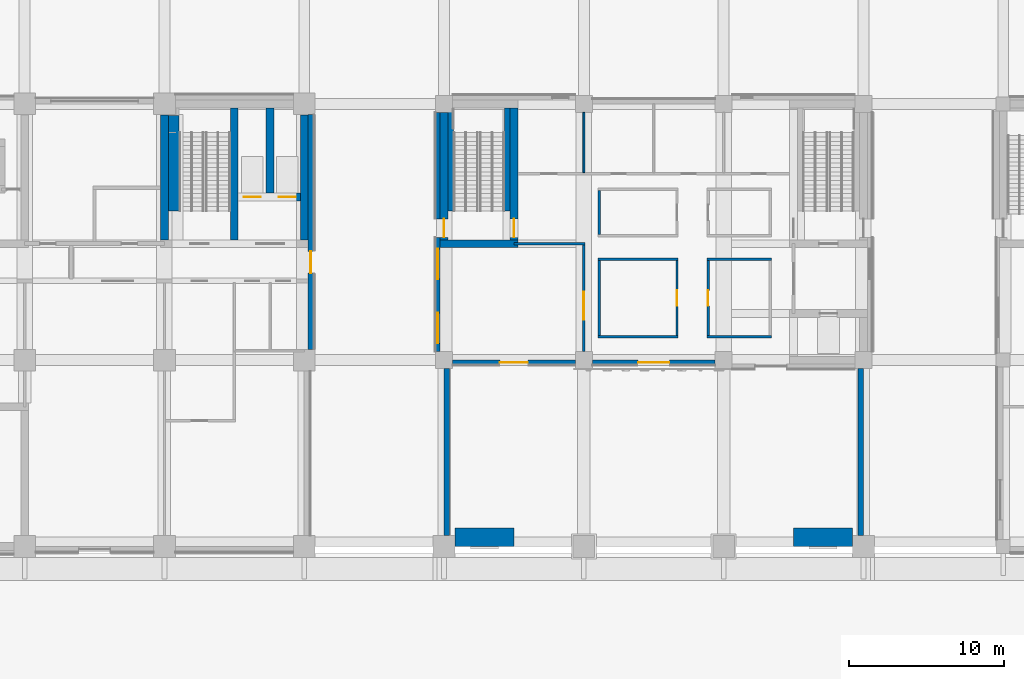
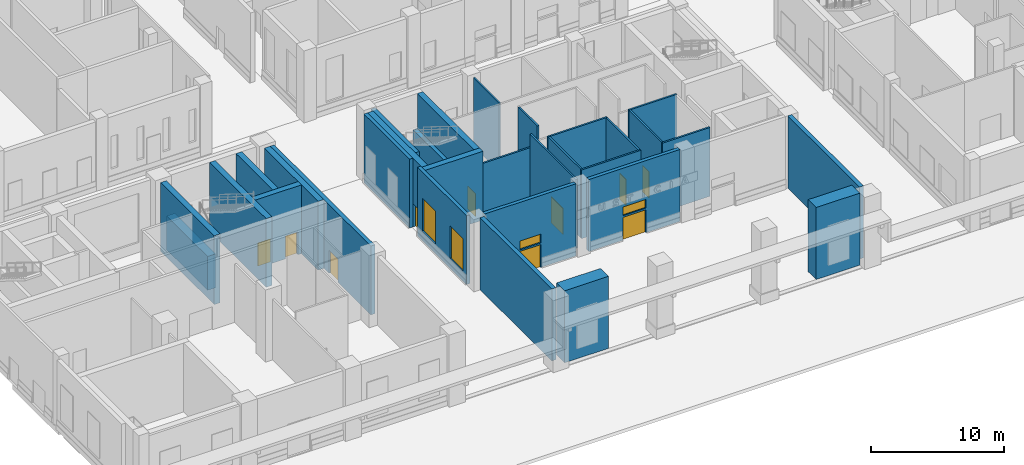
# One storey, part 9 of 35: 31 walls, 10 doors, 4 windows, 14 openings.
"""IFC4 building model written with IfcOpenShell, lengths in metres."""

import ifcopenshell
import ifcopenshell.guid

model = None  # the IFC model being written
_history = None  # IfcOwnerHistory: only IFC2X3 demands one
_inside = {}  # id of a spatial element -> (the spatial element, [elements in it])
_under = {}  # id of a project, library or spatial element -> (it, [spatial elements below it])
_declared = {}  # id of a project -> (the project, [libraries it declares])
_typed = {}  # id of a type object -> (the type object, [elements of that type])
_made_of = {}  # id of a material, layer set ... -> (it, [elements and type objects made of it])


def new_model(schema):
    """Start an empty IFC model of exactly this schema.

    Asked for "IFC4X3", IfcOpenShell would pick the latest addendum, in which some entities
    have other attributes; the version numbers below select the first issue.
    IFC2X3 requires an IfcOwnerHistory on every rooted entity: one is made here for all.
    """
    global model, _history
    if schema == "IFC4X3":
        model = ifcopenshell.file(schema_version=(4, 3, 0, 0))
    else:
        model = ifcopenshell.file(schema=schema)
    _inside.clear()
    _under.clear()
    _declared.clear()
    _typed.clear()
    _made_of.clear()
    _history = None
    if model.schema == "IFC2X3":
        org = make("IfcOrganization", Name="unknown")
        user = make(
            "IfcPersonAndOrganization",
            ThePerson=make("IfcPerson", FamilyName="unknown"),
            TheOrganization=org,
        )
        app = make(
            "IfcApplication",
            ApplicationDeveloper=org,
            Version="unknown",
            ApplicationFullName="unknown",
            ApplicationIdentifier="unknown",
        )
        _history = make(
            "IfcOwnerHistory",
            OwningUser=user,
            OwningApplication=app,
            ChangeAction="ADDED",
            CreationDate=0,
        )
    return model


def make(cls, **values):
    """One entity of the class cls with the attributes given. An attribute that is None is left unset."""
    return model.create_entity(
        cls, **{name: value for name, value in values.items() if value is not None}
    )


def rooted(cls, **values):
    """An entity with a GlobalId (a new one), such as an element, a storey or a relation."""
    return make(cls, GlobalId=ifcopenshell.guid.new(), OwnerHistory=_history, **values)


def si_unit(unit_type, name, prefix=None):
    """IfcSIUnit, for example si_unit("LENGTHUNIT", "METRE", prefix="MILLI")."""
    return make("IfcSIUnit", UnitType=unit_type, Prefix=prefix, Name=name)


def assignment(units):
    """IfcUnitAssignment: the units of a project."""
    return None if units is None else make("IfcUnitAssignment", Units=units)


def point(xyz):
    """IfcCartesianPoint."""
    return None if xyz is None else make("IfcCartesianPoint", Coordinates=xyz)


def direction(xyz):
    """IfcDirection."""
    return None if xyz is None else make("IfcDirection", DirectionRatios=xyz)


def frame(location, z_axis=None, x_axis=None):
    """IfcAxis2Placement3D, a coordinate frame: its origin and axes. An axis left out is left unset."""
    return make(
        "IfcAxis2Placement3D",
        Location=point(location),
        Axis=direction(z_axis),
        RefDirection=direction(x_axis),
    )


def frame_2d(location, x_axis=None):
    """IfcAxis2Placement2D, a coordinate frame in the plane: its origin and x axis."""
    return make(
        "IfcAxis2Placement2D", Location=point(location), RefDirection=direction(x_axis)
    )


def origin():
    """The frame at (0, 0, 0) with its axes left unset."""
    return frame((0.0, 0.0, 0.0))


def place(relative_to, where):
    """IfcLocalPlacement: puts the frame where relative to a parent placement (None: the world)."""
    return make(
        "IfcLocalPlacement", PlacementRelTo=relative_to, RelativePlacement=where
    )


def context(
    kind, dimensions, precision=None, world=None, true_north=None, identifier=None
):
    """IfcGeometricRepresentationContext, for example the 3D "Model" context."""
    return make(
        "IfcGeometricRepresentationContext",
        ContextIdentifier=identifier,
        ContextType=kind,
        CoordinateSpaceDimension=dimensions,
        Precision=precision,
        WorldCoordinateSystem=world,
        TrueNorth=true_north,
    )


def subcontext(parent, identifier, kind, view, scale=None):
    """IfcGeometricRepresentationSubContext, for example "Body" below "Model"."""
    return make(
        "IfcGeometricRepresentationSubContext",
        ContextIdentifier=identifier,
        ContextType=kind,
        ParentContext=parent,
        TargetScale=scale,
        TargetView=view,
    )


def project(units=None, contexts=None):
    """IfcProject with its units and contexts."""
    return rooted(
        "IfcProject",
        Name="project",
        RepresentationContexts=contexts,
        UnitsInContext=assignment(units),
    )


def spatial(cls, under=None, at=None, **own):
    """A site, building, storey or space (cls), placed at a placement, below another one or the project."""
    s = rooted(cls, ObjectPlacement=at, **own)
    if under is not None:
        _under.setdefault(under.id(), (under, []))[1].append(s)
    return s


def profile(cls, at=None, kind="AREA", **sizes):
    """A parametric profile (cls). Its sizes go by their IFC names, for example OverallWidth=200.0."""
    return make(cls, ProfileType=kind, Position=at, **sizes)


def rectangle(**sizes):
    """IfcRectangleProfileDef."""
    return profile("IfcRectangleProfileDef", **sizes)


def extrude(swept, where, along, depth):
    """IfcExtrudedAreaSolid: the profile swept, set in the frame where, extruded along a direction by depth."""
    return make(
        "IfcExtrudedAreaSolid",
        SweptArea=swept,
        Position=where,
        ExtrudedDirection=direction(along),
        Depth=depth,
    )


def shape(context_of_items, identifier, shape_type, items):
    """IfcShapeRepresentation: the items that make up one representation, for example the "Body"."""
    return make(
        "IfcShapeRepresentation",
        ContextOfItems=context_of_items,
        RepresentationIdentifier=identifier,
        RepresentationType=shape_type,
        Items=items,
    )


def material(Name=None, Category=None):
    """IfcMaterial."""
    return make("IfcMaterial", Name=Name, Category=Category)


def layer(
    of_material, thickness, ventilated=None, Name=None, Category=None, Priority=None
):
    """IfcMaterialLayer: one layer of a wall or slab, of a material (None: an air gap)."""
    return make(
        "IfcMaterialLayer",
        Material=of_material,
        LayerThickness=thickness,
        IsVentilated=ventilated,
        Name=Name,
        Category=Category,
        Priority=Priority,
    )


def layer_set(layers, Name=None):
    """IfcMaterialLayerSet."""
    return make("IfcMaterialLayerSet", MaterialLayers=layers, LayerSetName=Name)


def made_of(thing, what):
    """Note that an element or type object is made of a material, layer set ...; save() writes the relation."""
    if what is not None:
        _made_of.setdefault(what.id(), (what, []))[1].append(thing)
    return thing


def type_object(cls, material=None, **own):
    """A type object (cls), such as IfcWallType, which elements share."""
    return made_of(rooted(cls, **own), material)


def element(
    cls,
    number,
    at=None,
    inside=None,
    cuts=None,
    type_object=None,
    material=None,
    context=None,
    identifier="Body",
    shape_type=None,
    held_by="IfcProductDefinitionShape",
    body=None,
    shapes=None,
    **own,
):
    """One element of the class cls, such as IfcWall. Its Tag is "e" and its number.

    at: its placement. inside: the storey or other place that contains it. cuts: it is an
    opening in that element (IfcRelVoidsElement). A single representation is given by context,
    identifier, shape_type and body (its items); several are given by shapes. held_by: the class
    of the entity that holds the representations. save() writes the other relations.
    """
    e = rooted(cls, Tag="e%d" % number, ObjectPlacement=at, **own)
    if body is not None:
        shapes = [shape(context, identifier, shape_type, body)]
    if shapes is not None:
        e.Representation = make(held_by, Representations=shapes)
    if inside is not None:
        _inside.setdefault(inside.id(), (inside, []))[1].append(e)
    if cuts is not None:
        rooted(
            "IfcRelVoidsElement", RelatingBuildingElement=cuts, RelatedOpeningElement=e
        )
    if type_object is not None:
        _typed.setdefault(type_object.id(), (type_object, []))[1].append(e)
    return made_of(e, material)


def fill(opening, filler):
    """IfcRelFillsElement: the door or window that sits in an opening."""
    return rooted(
        "IfcRelFillsElement",
        RelatingOpeningElement=opening,
        RelatedBuildingElement=filler,
    )


def aggregate(whole, parts):
    """IfcRelAggregates: a whole, such as a stair, and the parts it consists of."""
    return rooted("IfcRelAggregates", RelatingObject=whole, RelatedObjects=parts)


def save(model, path):
    """Write the relations noted so far, then the file.

    IfcRelAggregates (storeys below a building ...), IfcRelContainedInSpatialStructure (elements
    in a storey), IfcRelDefinesByType, IfcRelAssociatesMaterial and IfcRelDeclares: one each for
    every whole, place, type object, material and project.
    """
    for whole, parts in _under.values():
        aggregate(whole, parts)
    for where, things in _inside.values():
        rooted(
            "IfcRelContainedInSpatialStructure",
            RelatedElements=things,
            RelatingStructure=where,
        )
    for kind, things in _typed.values():
        rooted("IfcRelDefinesByType", RelatedObjects=things, RelatingType=kind)
    for what, things in _made_of.values():
        rooted("IfcRelAssociatesMaterial", RelatedObjects=things, RelatingMaterial=what)
    for by, libraries in _declared.values():
        rooted("IfcRelDeclares", RelatingContext=by, RelatedDefinitions=libraries)
    model.write(path)


model = new_model("IFC4")

# Units and contexts
model_context = context("Model", 3, precision=1e-05, world=origin(), true_north=direction((0.0, 1.0)))
body_context = subcontext(model_context, "Body", "Model", "MODEL_VIEW")
ifc_project = project(units=[si_unit("LENGTHUNIT", "METRE"), si_unit("AREAUNIT", "SQUARE_METRE"), si_unit("VOLUMEUNIT", "CUBIC_METRE"), si_unit("PLANEANGLEUNIT", "RADIAN"), si_unit("MASSUNIT", "GRAM", prefix="KILO")], contexts=[model_context])

# Site, building, storey
site_placement = place(None, origin())
site = spatial("IfcSite", under=ifc_project, at=site_placement, CompositionType="ELEMENT")
building_placement = place(site_placement, origin())
building = spatial("IfcBuilding", under=site, at=building_placement, Name="Aurelan Courthouse", CompositionType="ELEMENT")
storey_placement = place(building_placement, origin())
storey = spatial("IfcBuildingStorey", under=building, at=storey_placement, Name="L00", CompositionType="ELEMENT", Elevation=0.0)

# Wall, openings, windows
ifc_material_1 = material(Name="Limestone cladding", Category="masonry")
ifc_layer_1 = layer(ifc_material_1, 0.0849609375, Name="Facing")
ifc_material_2 = material(Name="Ventilated cavity")
ifc_layer_2 = layer(ifc_material_2, 0.02490234375, ventilated=True, Name="Ventilated cavity")
ifc_material_3 = material(Name="Mineral wool insulation")
ifc_layer_3 = layer(ifc_material_3, 0.044921875, Name="Insulation")
ifc_material_4 = material(Name="Concrete C30", Category="concrete")
ifc_layer_4 = layer(ifc_material_4, 0.14501953125, Name="Structure")
ifc_layer_set_1 = layer_set([ifc_layer_1, ifc_layer_2, ifc_layer_3, ifc_layer_4], Name="Concrete C30")
wall_type_1 = type_object("IfcWallType", Name="Ceremonial Court stone-faced wall 300", PredefinedType="SOLIDWALL", material=ifc_layer_set_1)
wall_1_placement = place(storey_placement, frame((35.60009765625, 12.550048828125, 0.0), z_axis=(0.0, 0.0, 1.0), x_axis=(0.0, 1.0, 0.0)))
wall_1 = element("IfcWall", 1, at=wall_1_placement, inside=storey, type_object=wall_type_1, Name="Facade wall FW-V1-L00-006", PredefinedType="SOLIDWALL", context=body_context, shape_type="SweptSolid", body=[
    extrude(rectangle(XDim=7.349853515625, YDim=0.300048828125, at=frame_2d((3.6748046875, 0.0))), origin(), (0.0, 0.0, 1.0), 6.300048828125),
])
opening_1_placement = place(wall_1_placement, frame((0.53759765625, 0.0, 0.89990234375)))
opening_1 = element("IfcOpeningElement", 2, at=opening_1_placement, cuts=wall_1, Name="Opening WN-V1-L00-004", PredefinedType="OPENING", context=body_context, shape_type="SweptSolid", body=[
    extrude(rectangle(XDim=1.949951171875, YDim=3.0, at=frame_2d((0.97509765625, 1.5))), frame((0.0, 0.159912109375, 0.0), z_axis=(0.0, -1.0, 0.0), x_axis=(1.0, 0.0, 0.0)), (0.0, 0.0, 1.0), 0.320068359375),
])
opening_2_placement = place(wall_1_placement, frame((4.66259765625, 0.0, 0.89990234375)))
opening_2 = element("IfcOpeningElement", 3, at=opening_2_placement, cuts=wall_1, Name="Opening WN-V1-L00-005", PredefinedType="OPENING", context=body_context, shape_type="SweptSolid", body=[
    extrude(rectangle(XDim=1.949951171875, YDim=3.0, at=frame_2d((0.97509765625, 1.5))), frame((0.0, 0.159912109375, 0.0), z_axis=(0.0, -1.0, 0.0), x_axis=(1.0, 0.0, 0.0)), (0.0, 0.0, 1.0), 0.320068359375),
])
ifc_material_5 = material(Name="Bronze-finished aluminium and glass", Category="aluminium")
window_type_1 = type_object("IfcWindowType", Name="Ceremonial Court window 1950 x 3000, sill 900", PartitioningType="SINGLE_PANEL", PredefinedType="WINDOW", material=ifc_material_5)
window_1_placement = place(opening_1_placement, origin())
window_1 = element("IfcWindow", 4, at=window_1_placement, inside=storey, type_object=window_type_1, Name="Window WN-V1-L00-004", OverallHeight=3.0, OverallWidth=1.949951171875, PartitioningType="SINGLE_PANEL", PredefinedType="WINDOW", context=body_context, shape_type="SweptSolid", body=[
    extrude(rectangle(XDim=1.949951171875, YDim=3.0, at=frame_2d((0.97509765625, 1.5))), frame((0.0, 0.030029296875, 0.0), z_axis=(0.0, -1.0, 0.0), x_axis=(1.0, 0.0, 0.0)), (0.0, 0.0, 1.0), 0.06005859375),
])
fill(opening_1, window_1)
window_2_placement = place(opening_2_placement, origin())
window_2 = element("IfcWindow", 5, at=window_2_placement, inside=storey, type_object=window_type_1, Name="Window WN-V1-L00-005", OverallHeight=3.0, OverallWidth=1.949951171875, PartitioningType="SINGLE_PANEL", PredefinedType="WINDOW", context=body_context, shape_type="SweptSolid", body=[
    extrude(rectangle(XDim=1.949951171875, YDim=3.0, at=frame_2d((0.97509765625, 1.5))), frame((0.0, 0.030029296875, 0.0), z_axis=(0.0, -1.0, 0.0), x_axis=(1.0, 0.0, 0.0)), (0.0, 0.0, 1.0), 0.06005859375),
])
fill(opening_2, window_2)

# Wall
wall_2_placement = place(storey_placement, frame((35.60009765625, 21.10009765625, 0.0), z_axis=(0.0, 0.0, 1.0), x_axis=(0.0, 1.0, 0.0)))
element("IfcWall", 6, at=wall_2_placement, inside=storey, type_object=wall_type_1, Name="Facade wall FW-V1-L00-007", PredefinedType="SOLIDWALL", context=body_context, shape_type="SweptSolid", body=[
    extrude(rectangle(XDim=6.849853515625, YDim=0.300048828125, at=frame_2d((3.4248046875, 0.0))), origin(), (0.0, 0.0, 1.0), 6.300048828125),
])

# Wall, openings, door, window
wall_3_placement = place(storey_placement, frame((36.550048828125, 11.85009765625, 0.0), z_axis=(0.0, 0.0, 1.0), x_axis=(1.0, 0.0, 0.0)))
wall_3 = element("IfcWall", 7, at=wall_3_placement, inside=storey, type_object=wall_type_1, Name="Facade wall FW-V1-L00-008", PredefinedType="SOLIDWALL", context=body_context, shape_type="SweptSolid", body=[
    extrude(rectangle(XDim=7.89990234375, YDim=0.300048828125, at=frame_2d((3.949951171875, 0.0))), origin(), (0.0, 0.0, 1.0), 6.60009765625),
])
opening_3_placement = place(wall_3_placement, frame((4.85009765625, 0.0, 0.0), z_axis=(0.0, 0.0, 1.0), x_axis=(-1.0, 0.0, 0.0)))
opening_3 = element("IfcOpeningElement", 8, at=opening_3_placement, cuts=wall_3, Name="Opening D-L00-003", PredefinedType="OPENING", context=body_context, shape_type="SweptSolid", body=[
    extrude(rectangle(XDim=1.800048828125, YDim=2.10009765625, at=frame_2d((0.89990234375, 1.050048828125))), frame((0.0, 0.159912109375, 0.0), z_axis=(0.0, -1.0, 0.0), x_axis=(1.0, 0.0, 0.0)), (0.0, 0.0, 1.0), 0.320068359375),
])
opening_4_placement = place(wall_3_placement, frame((3.050048828125, 0.0, 2.25)))
opening_4 = element("IfcOpeningElement", 9, at=opening_4_placement, cuts=wall_3, Name="Opening WN-V1-L00-006", PredefinedType="OPENING", context=body_context, shape_type="SweptSolid", body=[
    extrude(rectangle(XDim=1.800048828125, YDim=0.800048828125, at=frame_2d((0.89990234375, 0.39990234375))), frame((0.0, 0.159912109375, 0.0), z_axis=(0.0, -1.0, 0.0), x_axis=(1.0, 0.0, 0.0)), (0.0, 0.0, 1.0), 0.320068359375),
])
ifc_material_6 = material(Name="Bronze-clad timber", Category="wood")
door_type_1 = type_object("IfcDoorType", Name="Bronze double door 1800 x 2100", OperationType="SINGLE_SWING_LEFT", PredefinedType="DOOR", material=ifc_material_6)
door_1_placement = place(opening_3_placement, origin())
door_1 = element("IfcDoor", 10, at=door_1_placement, inside=storey, type_object=door_type_1, Name="Exit door D-L00-003", OperationType="DOUBLE_DOOR_SINGLE_SWING", OverallHeight=2.10009765625, OverallWidth=1.800048828125, PredefinedType="DOOR", context=body_context, shape_type="SweptSolid", body=[
    extrude(rectangle(XDim=1.800048828125, YDim=2.10009765625, at=frame_2d((0.89990234375, 1.050048828125))), frame((0.0, 0.02490234375, 0.0), z_axis=(0.0, -1.0, 0.0), x_axis=(1.0, 0.0, 0.0)), (0.0, 0.0, 1.0), 0.050048828125),
])
fill(opening_3, door_1)
window_type_2 = type_object("IfcWindowType", Name="Ceremonial Court transom light 1800 x 800, sill 2250", PartitioningType="SINGLE_PANEL", PredefinedType="WINDOW", material=ifc_material_5)
window_3_placement = place(opening_4_placement, origin())
window_3 = element("IfcWindow", 11, at=window_3_placement, inside=storey, type_object=window_type_2, Name="Transom light WN-V1-L00-006", OverallHeight=0.800048828125, OverallWidth=1.800048828125, PartitioningType="SINGLE_PANEL", PredefinedType="WINDOW", context=body_context, shape_type="SweptSolid", body=[
    extrude(rectangle(XDim=1.800048828125, YDim=0.800048828125, at=frame_2d((0.89990234375, 0.39990234375))), frame((0.0, 0.030029296875, 0.0), z_axis=(0.0, -1.0, 0.0), x_axis=(1.0, 0.0, 0.0)), (0.0, 0.0, 1.0), 0.06005859375),
])
fill(opening_4, window_3)

wall_4_placement = place(storey_placement, frame((45.550048828125, 11.85009765625, 0.0), z_axis=(0.0, 0.0, 1.0), x_axis=(1.0, 0.0, 0.0)))
wall_4 = element("IfcWall", 12, at=wall_4_placement, inside=storey, type_object=wall_type_1, Name="Facade wall FW-V1-L00-009", PredefinedType="SOLIDWALL", context=body_context, shape_type="SweptSolid", body=[
    extrude(rectangle(XDim=7.89990234375, YDim=0.300048828125, at=frame_2d((3.949951171875, 0.0))), origin(), (0.0, 0.0, 1.0), 6.60009765625),
])
opening_5_placement = place(wall_4_placement, frame((4.949951171875, 0.0, 0.0), z_axis=(0.0, 0.0, 1.0), x_axis=(-1.0, 0.0, 0.0)))
opening_5 = element("IfcOpeningElement", 13, at=opening_5_placement, cuts=wall_4, Name="Opening D-L00-001", PredefinedType="OPENING", context=body_context, shape_type="SweptSolid", body=[
    extrude(rectangle(XDim=2.0, YDim=2.10009765625, at=frame_2d((1.0, 1.050048828125))), frame((0.0, 0.159912109375, 0.0), z_axis=(0.0, -1.0, 0.0), x_axis=(1.0, 0.0, 0.0)), (0.0, 0.0, 1.0), 0.320068359375),
])
opening_6_placement = place(wall_4_placement, frame((2.949951171875, 0.0, 2.25)))
opening_6 = element("IfcOpeningElement", 14, at=opening_6_placement, cuts=wall_4, Name="Opening WN-V1-L00-007", PredefinedType="OPENING", context=body_context, shape_type="SweptSolid", body=[
    extrude(rectangle(XDim=2.0, YDim=0.800048828125, at=frame_2d((1.0, 0.39990234375))), frame((0.0, 0.159912109375, 0.0), z_axis=(0.0, -1.0, 0.0), x_axis=(1.0, 0.0, 0.0)), (0.0, 0.0, 1.0), 0.320068359375),
])
door_type_2 = type_object("IfcDoorType", Name="Bronze double door 2000 x 2100", OperationType="SINGLE_SWING_LEFT", PredefinedType="DOOR", material=ifc_material_6)
door_2_placement = place(opening_5_placement, origin())
door_2 = element("IfcDoor", 15, at=door_2_placement, inside=storey, type_object=door_type_2, Name="Entrance door D-L00-001", OperationType="DOUBLE_DOOR_SINGLE_SWING", OverallHeight=2.10009765625, OverallWidth=2.0, PredefinedType="DOOR", context=body_context, shape_type="SweptSolid", body=[
    extrude(rectangle(XDim=2.0, YDim=2.10009765625, at=frame_2d((1.0, 1.050048828125))), frame((0.0, 0.02490234375, 0.0), z_axis=(0.0, -1.0, 0.0), x_axis=(1.0, 0.0, 0.0)), (0.0, 0.0, 1.0), 0.050048828125),
])
fill(opening_5, door_2)
window_type_3 = type_object("IfcWindowType", Name="Ceremonial Court transom light 2000 x 800, sill 2250", PartitioningType="SINGLE_PANEL", PredefinedType="WINDOW", material=ifc_material_5)
window_4_placement = place(opening_6_placement, origin())
window_4 = element("IfcWindow", 16, at=window_4_placement, inside=storey, type_object=window_type_3, Name="Transom light WN-V1-L00-007", OverallHeight=0.800048828125, OverallWidth=2.0, PartitioningType="SINGLE_PANEL", PredefinedType="WINDOW", context=body_context, shape_type="SweptSolid", body=[
    extrude(rectangle(XDim=2.0, YDim=0.800048828125, at=frame_2d((1.0, 0.39990234375))), frame((0.0, 0.030029296875, 0.0), z_axis=(0.0, -1.0, 0.0), x_axis=(1.0, 0.0, 0.0)), (0.0, 0.0, 1.0), 0.06005859375),
])
fill(opening_6, window_4)

# Walls
ifc_material_7 = material(Name="Gypsum board on metal studs")
ifc_layer_5 = layer(ifc_material_7, 0.14990234375)
ifc_layer_set_2 = layer_set([ifc_layer_5], Name="Gypsum board on metal studs")
wall_type_2 = type_object("IfcWallType", Name="Corridor partition 150 EI 60", PredefinedType="PARTITIONING", material=ifc_layer_set_2)
wall_5_placement = place(storey_placement, frame((45.925048828125, 13.5, 0.0), z_axis=(0.0, 0.0, 1.0), x_axis=(1.0, 0.0, 0.0)))
element("IfcWall", 17, at=wall_5_placement, inside=storey, type_object=wall_type_2, Name="Corridor partition L00-007", PredefinedType="PARTITIONING", context=body_context, shape_type="SweptSolid", body=[
    extrude(rectangle(XDim=5.14990234375, YDim=0.14990234375, at=frame_2d((2.574951171875, 0.0))), origin(), (0.0, 0.0, 1.0), 6.300048828125),
])
wall_6_placement = place(storey_placement, frame((52.925048828125, 13.5, 0.0), z_axis=(0.0, 0.0, 1.0), x_axis=(1.0, 0.0, 0.0)))
element("IfcWall", 18, at=wall_6_placement, inside=storey, type_object=wall_type_2, Name="Corridor partition L00-008", PredefinedType="PARTITIONING", context=body_context, shape_type="SweptSolid", body=[
    extrude(rectangle(XDim=4.14990234375, YDim=0.14990234375, at=frame_2d((2.074951171875, 0.0))), origin(), (0.0, 0.0, 1.0), 6.300048828125),
])
wall_7_placement = place(storey_placement, frame((45.925048828125, 18.5, 0.0), z_axis=(0.0, 0.0, 1.0), x_axis=(1.0, 0.0, 0.0)))
element("IfcWall", 19, at=wall_7_placement, inside=storey, type_object=wall_type_2, Name="Corridor partition L00-012", PredefinedType="PARTITIONING", context=body_context, shape_type="SweptSolid", body=[
    extrude(rectangle(XDim=5.14990234375, YDim=0.14990234375, at=frame_2d((2.574951171875, 0.0))), origin(), (0.0, 0.0, 1.0), 6.300048828125),
])
wall_8_placement = place(storey_placement, frame((52.925048828125, 18.5, 0.0), z_axis=(0.0, 0.0, 1.0), x_axis=(1.0, 0.0, 0.0)))
element("IfcWall", 20, at=wall_8_placement, inside=storey, type_object=wall_type_2, Name="Corridor partition L00-013", PredefinedType="PARTITIONING", context=body_context, shape_type="SweptSolid", body=[
    extrude(rectangle(XDim=4.14990234375, YDim=0.14990234375, at=frame_2d((2.074951171875, 0.0))), origin(), (0.0, 0.0, 1.0), 6.300048828125),
])
wall_9_placement = place(storey_placement, frame((40.5, 19.5, 0.0), z_axis=(0.0, 0.0, 1.0), x_axis=(1.0, 0.0, 0.0)))
element("IfcWall", 21, at=wall_9_placement, inside=storey, type_object=wall_type_2, Name="Corridor partition L00-015", PredefinedType="PARTITIONING", context=body_context, shape_type="SweptSolid", body=[
    extrude(rectangle(XDim=4.574951171875, YDim=0.14990234375, at=frame_2d((2.28759765625, 0.0))), origin(), (0.0, 0.0, 1.0), 5.050048828125),
])

# Wall, opening, door
wall_10_placement = place(storey_placement, frame((45.0, 12.550048828125, 0.0), z_axis=(0.0, 0.0, 1.0), x_axis=(0.0, 1.0, 0.0)))
wall_10 = element("IfcWall", 22, at=wall_10_placement, inside=storey, type_object=wall_type_2, Name="Corridor partition L00-075", PredefinedType="PARTITIONING", context=body_context, shape_type="SweptSolid", body=[
    extrude(rectangle(XDim=6.875, YDim=0.14990234375, at=frame_2d((3.4375, 0.0))), origin(), (0.0, 0.0, 1.0), 6.300048828125),
])
opening_7_placement = place(wall_10_placement, frame((2.050048828125, 0.0, 0.0)))
opening_7 = element("IfcOpeningElement", 23, at=opening_7_placement, cuts=wall_10, Name="Opening D-L00-004", PredefinedType="OPENING", context=body_context, shape_type="SweptSolid", body=[
    extrude(rectangle(XDim=1.800048828125, YDim=2.39990234375, at=frame_2d((0.89990234375, 1.199951171875))), frame((0.0, 0.0849609375, 0.0), z_axis=(0.0, -1.0, 0.0), x_axis=(1.0, 0.0, 0.0)), (0.0, 0.0, 1.0), 0.169921875),
])
ifc_material_8 = material(Name="Steel", Category="steel")
door_type_3 = type_object("IfcDoorType", Name="Double door 1800 x 2400 FD60", OperationType="DOUBLE_DOOR_SINGLE_SWING", PredefinedType="DOOR", material=ifc_material_8)
door_3_placement = place(opening_7_placement, origin())
door_3 = element("IfcDoor", 24, at=door_3_placement, inside=storey, type_object=door_type_3, Name="Double door D-L00-004", OperationType="DOUBLE_DOOR_SINGLE_SWING", OverallHeight=2.39990234375, OverallWidth=1.800048828125, PredefinedType="DOOR", context=body_context, shape_type="SweptSolid", body=[
    extrude(rectangle(XDim=1.800048828125, YDim=2.39990234375, at=frame_2d((0.89990234375, 1.199951171875))), frame((0.0, 0.02490234375, 0.0), z_axis=(0.0, -1.0, 0.0), x_axis=(1.0, 0.0, 0.0)), (0.0, 0.0, 1.0), 0.050048828125),
])
fill(opening_7, door_3)

# Walls
wall_11_placement = place(storey_placement, frame((46.0, 13.574951171875, 0.0), z_axis=(0.0, 0.0, 1.0), x_axis=(0.0, 1.0, 0.0)))
element("IfcWall", 25, at=wall_11_placement, inside=storey, type_object=wall_type_2, Name="Corridor partition L00-078", PredefinedType="PARTITIONING", context=body_context, shape_type="SweptSolid", body=[
    extrude(rectangle(XDim=4.85009765625, YDim=0.14990234375, at=frame_2d((2.425048828125, 0.0))), origin(), (0.0, 0.0, 1.0), 6.300048828125),
])
wall_12_placement = place(storey_placement, frame((46.0, 20.074951171875, 0.0), z_axis=(0.0, 0.0, 1.0), x_axis=(0.0, 1.0, 0.0)))
element("IfcWall", 26, at=wall_12_placement, inside=storey, type_object=wall_type_2, Name="Corridor partition L00-079", PredefinedType="PARTITIONING", context=body_context, shape_type="SweptSolid", body=[
    extrude(rectangle(XDim=2.85009765625, YDim=0.14990234375, at=frame_2d((1.425048828125, 0.0))), origin(), (0.0, 0.0, 1.0), 6.300048828125),
])

# Wall, opening, door
wall_13_placement = place(storey_placement, frame((51.0, 13.574951171875, 0.0), z_axis=(0.0, 0.0, 1.0), x_axis=(0.0, 1.0, 0.0)))
wall_13 = element("IfcWall", 27, at=wall_13_placement, inside=storey, type_object=wall_type_2, Name="Corridor partition L00-083", PredefinedType="PARTITIONING", context=body_context, shape_type="SweptSolid", body=[
    extrude(rectangle(XDim=4.85009765625, YDim=0.14990234375, at=frame_2d((2.425048828125, 0.0))), origin(), (0.0, 0.0, 1.0), 6.300048828125),
])
opening_8_placement = place(wall_13_placement, frame((1.925048828125, 0.0, 0.0)))
opening_8 = element("IfcOpeningElement", 28, at=opening_8_placement, cuts=wall_13, Name="Opening D-L00-012", PredefinedType="OPENING", context=body_context, shape_type="SweptSolid", body=[
    extrude(rectangle(XDim=1.0, YDim=2.39990234375, at=frame_2d((0.5, 1.199951171875))), frame((0.0, 0.0849609375, 0.0), z_axis=(0.0, -1.0, 0.0), x_axis=(1.0, 0.0, 0.0)), (0.0, 0.0, 1.0), 0.169921875),
])
door_type_4 = type_object("IfcDoorType", Name="Single door 1000 x 2400 FD60", OperationType="SINGLE_SWING_LEFT", PredefinedType="DOOR", material=ifc_material_8)
door_4_placement = place(opening_8_placement, origin())
door_4 = element("IfcDoor", 29, at=door_4_placement, inside=storey, type_object=door_type_4, Name="Single door D-L00-012", OperationType="SINGLE_SWING_LEFT", OverallHeight=2.39990234375, OverallWidth=1.0, PredefinedType="DOOR", context=body_context, shape_type="SweptSolid", body=[
    extrude(rectangle(XDim=1.0, YDim=2.39990234375, at=frame_2d((0.5, 1.199951171875))), frame((0.0, 0.02490234375, 0.0), z_axis=(0.0, -1.0, 0.0), x_axis=(1.0, 0.0, 0.0)), (0.0, 0.0, 1.0), 0.050048828125),
])
fill(opening_8, door_4)

wall_14_placement = place(storey_placement, frame((53.0, 13.574951171875, 0.0), z_axis=(0.0, 0.0, 1.0), x_axis=(0.0, 1.0, 0.0)))
wall_14 = element("IfcWall", 30, at=wall_14_placement, inside=storey, type_object=wall_type_2, Name="Corridor partition L00-085", PredefinedType="PARTITIONING", context=body_context, shape_type="SweptSolid", body=[
    extrude(rectangle(XDim=4.85009765625, YDim=0.14990234375, at=frame_2d((2.425048828125, 0.0))), origin(), (0.0, 0.0, 1.0), 6.300048828125),
])
opening_9_placement = place(wall_14_placement, frame((2.925048828125, 0.0, 0.0), z_axis=(0.0, 0.0, 1.0), x_axis=(-1.0, 0.0, 0.0)))
opening_9 = element("IfcOpeningElement", 31, at=opening_9_placement, cuts=wall_14, Name="Opening D-L00-013", PredefinedType="OPENING", context=body_context, shape_type="SweptSolid", body=[
    extrude(rectangle(XDim=1.0, YDim=2.39990234375, at=frame_2d((0.5, 1.199951171875))), frame((0.0, 0.0849609375, 0.0), z_axis=(0.0, -1.0, 0.0), x_axis=(1.0, 0.0, 0.0)), (0.0, 0.0, 1.0), 0.169921875),
])
door_5_placement = place(opening_9_placement, origin())
door_5 = element("IfcDoor", 32, at=door_5_placement, inside=storey, type_object=door_type_4, Name="Single door D-L00-013", OperationType="SINGLE_SWING_LEFT", OverallHeight=2.39990234375, OverallWidth=1.0, PredefinedType="DOOR", context=body_context, shape_type="SweptSolid", body=[
    extrude(rectangle(XDim=1.0, YDim=2.39990234375, at=frame_2d((0.5, 1.199951171875))), frame((0.0, 0.02490234375, 0.0), z_axis=(0.0, -1.0, 0.0), x_axis=(1.0, 0.0, 0.0)), (0.0, 0.0, 1.0), 0.050048828125),
])
fill(opening_9, door_5)

ifc_material_9 = material(Name="Granite cladding", Category="masonry")
ifc_layer_6 = layer(ifc_material_9, 0.10009765625, Name="Facing")
ifc_layer_7 = layer(ifc_material_2, 0.02490234375, ventilated=True, Name="Ventilated cavity")
ifc_layer_8 = layer(ifc_material_3, 0.050048828125, Name="Insulation")
ifc_layer_9 = layer(ifc_material_4, 0.175048828125, Name="Structure")
ifc_layer_set_3 = layer_set([ifc_layer_6, ifc_layer_7, ifc_layer_8, ifc_layer_9], Name="Concrete C30")
wall_type_3 = type_object("IfcWallType", Name="Courts' Floors granite-faced wall 350", PredefinedType="SOLIDWALL", material=ifc_layer_set_3)
wall_15_placement = place(storey_placement, frame((27.425048828125, 12.699951171875, 0.0), z_axis=(0.0, 0.0, 1.0), x_axis=(0.0, 1.0, 0.0)))
wall_15 = element("IfcWall", 33, at=wall_15_placement, inside=storey, type_object=wall_type_3, Name="Facade wall FW-V5-L00-008", PredefinedType="SOLIDWALL", context=body_context, shape_type="SweptSolid", body=[
    extrude(rectangle(XDim=15.10009765625, YDim=0.35009765625, at=frame_2d((7.550048828125, 0.0))), origin(), (0.0, 0.0, 1.0), 6.300048828125),
])
opening_10_placement = place(wall_15_placement, frame((6.2998046875, 0.0, 0.0), z_axis=(0.0, 0.0, 1.0), x_axis=(-1.0, 0.0, 0.0)))
opening_10 = element("IfcOpeningElement", 34, at=opening_10_placement, cuts=wall_15, Name="Opening D-L00-111", PredefinedType="OPENING", context=body_context, shape_type="SweptSolid", body=[
    extrude(rectangle(XDim=1.39990234375, YDim=2.10009765625, at=frame_2d((0.699951171875, 1.050048828125))), frame((0.0, 0.18505859375, 0.0), z_axis=(0.0, -1.0, 0.0), x_axis=(1.0, 0.0, 0.0)), (0.0, 0.0, 1.0), 0.3701171875),
])
door_type_5 = type_object("IfcDoorType", Name="Bronze single door 1400 x 2100", OperationType="SINGLE_SWING_LEFT", PredefinedType="DOOR", material=ifc_material_6)
door_6_placement = place(opening_10_placement, origin())
door_6 = element("IfcDoor", 35, at=door_6_placement, inside=storey, type_object=door_type_5, Name="Exit door D-L00-111", OperationType="SINGLE_SWING_LEFT", OverallHeight=2.10009765625, OverallWidth=1.39990234375, PredefinedType="DOOR", context=body_context, shape_type="SweptSolid", body=[
    extrude(rectangle(XDim=1.39990234375, YDim=2.10009765625, at=frame_2d((0.699951171875, 1.050048828125))), frame((0.0, 0.02490234375, 0.0), z_axis=(0.0, -1.0, 0.0), x_axis=(1.0, 0.0, 0.0)), (0.0, 0.0, 1.0), 0.050048828125),
])
fill(opening_10, door_6)

# Walls
ifc_material_10 = material(Name="Concrete C50", Category="concrete")
ifc_layer_10 = layer(ifc_material_10, 0.5)
ifc_layer_set_4 = layer_set([ifc_layer_10], Name="Concrete C50")
wall_type_4 = type_object("IfcWallType", Name="RC shear wall 500", PredefinedType="SHEAR", material=ifc_layer_set_4)
wall_16_placement = place(storey_placement, frame((35.75, 19.5, 0.0), z_axis=(0.0, 0.0, 1.0), x_axis=(1.0, 0.0, 0.0)))
element("IfcWall", 36, at=wall_16_placement, inside=storey, type_object=wall_type_4, Name="Core wall SW-L00-015", PredefinedType="SHEAR", context=body_context, shape_type="SweptSolid", body=[
    extrude(rectangle(XDim=5.0, YDim=0.5, at=frame_2d((2.5, 0.0))), origin(), (0.0, 0.0, 1.0), 6.300048828125),
])
wall_17_placement = place(storey_placement, frame((18.0, 19.75, 0.0), z_axis=(0.0, 0.0, 1.0), x_axis=(0.0, 1.0, 0.0)))
element("IfcWall", 37, at=wall_17_placement, inside=storey, type_object=wall_type_4, Name="Core wall SW-L00-022", PredefinedType="SHEAR", context=body_context, shape_type="SweptSolid", body=[
    extrude(rectangle(XDim=8.050048828125, YDim=0.5, at=frame_2d((4.02490234375, 0.0))), origin(), (0.0, 0.0, 1.0), 6.300048828125),
])
wall_18_placement = place(storey_placement, frame((22.5, 19.75, 0.0), z_axis=(0.0, 0.0, 1.0), x_axis=(0.0, 1.0, 0.0)))
element("IfcWall", 38, at=wall_18_placement, inside=storey, type_object=wall_type_4, Name="Core wall SW-L00-023", PredefinedType="SHEAR", context=body_context, shape_type="SweptSolid", body=[
    extrude(rectangle(XDim=8.5, YDim=0.5, at=frame_2d((4.25, 0.0))), origin(), (0.0, 0.0, 1.0), 6.300048828125),
])
wall_19_placement = place(storey_placement, frame((27.0, 19.75, 0.0), z_axis=(0.0, 0.0, 1.0), x_axis=(0.0, 1.0, 0.0)))
element("IfcWall", 39, at=wall_19_placement, inside=storey, type_object=wall_type_4, Name="Core wall SW-L00-024", PredefinedType="SHEAR", context=body_context, shape_type="SweptSolid", body=[
    extrude(rectangle(XDim=8.050048828125, YDim=0.5, at=frame_2d((4.02490234375, 0.0))), origin(), (0.0, 0.0, 1.0), 6.300048828125),
])

# Wall, opening, door
wall_20_placement = place(storey_placement, frame((36.0, 19.75, 0.0), z_axis=(0.0, 0.0, 1.0), x_axis=(0.0, 1.0, 0.0)))
wall_20 = element("IfcWall", 40, at=wall_20_placement, inside=storey, type_object=wall_type_4, Name="Core wall SW-L00-025", PredefinedType="SHEAR", context=body_context, shape_type="SweptSolid", body=[
    extrude(rectangle(XDim=8.199951171875, YDim=0.5, at=frame_2d((4.10009765625, 0.0))), origin(), (0.0, 0.0, 1.0), 6.300048828125),
])
opening_11_placement = place(wall_20_placement, frame((0.14990234375, 0.0, 0.0)))
opening_11 = element("IfcOpeningElement", 41, at=opening_11_placement, cuts=wall_20, Name="Opening D-L00-005", PredefinedType="OPENING", context=body_context, shape_type="SweptSolid", body=[
    extrude(rectangle(XDim=1.199951171875, YDim=2.10009765625, at=frame_2d((0.60009765625, 1.050048828125))), frame((0.0, 0.260009765625, 0.0), z_axis=(0.0, -1.0, 0.0), x_axis=(1.0, 0.0, 0.0)), (0.0, 0.0, 1.0), 0.52001953125),
])
door_type_6 = type_object("IfcDoorType", Name="Bronze single door 1200 x 2100", OperationType="SINGLE_SWING_LEFT", PredefinedType="DOOR", material=ifc_material_6)
door_7_placement = place(opening_11_placement, origin())
door_7 = element("IfcDoor", 42, at=door_7_placement, inside=storey, type_object=door_type_6, Name="Exit door D-L00-005", OperationType="SINGLE_SWING_LEFT", OverallHeight=2.10009765625, OverallWidth=1.199951171875, PredefinedType="DOOR", context=body_context, shape_type="SweptSolid", body=[
    extrude(rectangle(XDim=1.199951171875, YDim=2.10009765625, at=frame_2d((0.60009765625, 1.050048828125))), frame((0.0, 0.02490234375, 0.0), z_axis=(0.0, -1.0, 0.0), x_axis=(1.0, 0.0, 0.0)), (0.0, 0.0, 1.0), 0.050048828125),
])
fill(opening_11, door_7)

wall_21_placement = place(storey_placement, frame((40.5, 19.75, 0.0), z_axis=(0.0, 0.0, 1.0), x_axis=(0.0, 1.0, 0.0)))
wall_21 = element("IfcWall", 43, at=wall_21_placement, inside=storey, type_object=wall_type_4, Name="Core wall SW-L00-026", PredefinedType="SHEAR", context=body_context, shape_type="SweptSolid", body=[
    extrude(rectangle(XDim=8.5, YDim=0.5, at=frame_2d((4.25, 0.0))), origin(), (0.0, 0.0, 1.0), 6.300048828125),
])
opening_12_placement = place(wall_21_placement, frame((0.14990234375, 0.0, 0.0)))
opening_12 = element("IfcOpeningElement", 44, at=opening_12_placement, cuts=wall_21, Name="Opening D-L00-007", PredefinedType="OPENING", context=body_context, shape_type="SweptSolid", body=[
    extrude(rectangle(XDim=1.199951171875, YDim=2.10009765625, at=frame_2d((0.60009765625, 1.050048828125))), frame((0.0, 0.260009765625, 0.0), z_axis=(0.0, -1.0, 0.0), x_axis=(1.0, 0.0, 0.0)), (0.0, 0.0, 1.0), 0.52001953125),
])
door_type_7 = type_object("IfcDoorType", Name="Single door 1200 x 2100 FD90", OperationType="SINGLE_SWING_LEFT", PredefinedType="DOOR", material=ifc_material_8)
door_8_placement = place(opening_12_placement, origin())
door_8 = element("IfcDoor", 45, at=door_8_placement, inside=storey, type_object=door_type_7, Name="Single door D-L00-007", OperationType="SINGLE_SWING_LEFT", OverallHeight=2.10009765625, OverallWidth=1.199951171875, PredefinedType="DOOR", context=body_context, shape_type="SweptSolid", body=[
    extrude(rectangle(XDim=1.199951171875, YDim=2.10009765625, at=frame_2d((0.60009765625, 1.050048828125))), frame((0.0, 0.02490234375, 0.0), z_axis=(0.0, -1.0, 0.0), x_axis=(1.0, 0.0, 0.0)), (0.0, 0.0, 1.0), 0.050048828125),
])
fill(opening_12, door_8)

# Wall, openings, doors
wall_22_placement = place(storey_placement, frame((22.75, 22.5, 0.0), z_axis=(0.0, 0.0, 1.0), x_axis=(1.0, 0.0, 0.0)))
wall_22 = element("IfcWall", 46, at=wall_22_placement, inside=storey, type_object=wall_type_4, Name="Core wall SW-L00-033", PredefinedType="SHEAR", context=body_context, shape_type="SweptSolid", body=[
    extrude(rectangle(XDim=4.0, YDim=0.5, at=frame_2d((2.0, 0.0))), origin(), (0.0, 0.0, 1.0), 6.300048828125),
])
opening_13_placement = place(wall_22_placement, frame((0.35009765625, 0.0, 0.0)))
opening_13 = element("IfcOpeningElement", 47, at=opening_13_placement, cuts=wall_22, Name="Opening LD-V5-P1-L00", PredefinedType="OPENING", context=body_context, shape_type="SweptSolid", body=[
    extrude(rectangle(XDim=1.10009765625, YDim=2.10009765625, at=frame_2d((0.550048828125, 1.050048828125))), frame((0.0, 0.260009765625, 0.0), z_axis=(0.0, -1.0, 0.0), x_axis=(1.0, 0.0, 0.0)), (0.0, 0.0, 1.0), 0.52001953125),
])
opening_14_placement = place(wall_22_placement, frame((2.60009765625, 0.0, 0.0)))
opening_14 = element("IfcOpeningElement", 48, at=opening_14_placement, cuts=wall_22, Name="Opening LD-V5-P2-L00", PredefinedType="OPENING", context=body_context, shape_type="SweptSolid", body=[
    extrude(rectangle(XDim=1.10009765625, YDim=2.10009765625, at=frame_2d((0.550048828125, 1.050048828125))), frame((0.0, 0.260009765625, 0.0), z_axis=(0.0, -1.0, 0.0), x_axis=(1.0, 0.0, 0.0)), (0.0, 0.0, 1.0), 0.52001953125),
])
door_type_8 = type_object("IfcDoorType", Name="Lift landing door 1100 x 2100 FD90", OperationType="SLIDING_TO_LEFT", PredefinedType="DOOR", material=ifc_material_8)
door_9_placement = place(opening_13_placement, origin())
door_9 = element("IfcDoor", 49, at=door_9_placement, inside=storey, type_object=door_type_8, Name="Lift landing door LD-V5-P1-L00", OperationType="SLIDING_TO_LEFT", OverallHeight=2.10009765625, OverallWidth=1.10009765625, PredefinedType="DOOR", context=body_context, shape_type="SweptSolid", body=[
    extrude(rectangle(XDim=1.10009765625, YDim=2.10009765625, at=frame_2d((0.550048828125, 1.050048828125))), frame((0.0, 0.02490234375, 0.0), z_axis=(0.0, -1.0, 0.0), x_axis=(1.0, 0.0, 0.0)), (0.0, 0.0, 1.0), 0.050048828125),
])
fill(opening_13, door_9)
door_10_placement = place(opening_14_placement, origin())
door_10 = element("IfcDoor", 50, at=door_10_placement, inside=storey, type_object=door_type_8, Name="Lift landing door LD-V5-P2-L00", OperationType="SLIDING_TO_LEFT", OverallHeight=2.10009765625, OverallWidth=1.10009765625, PredefinedType="DOOR", context=body_context, shape_type="SweptSolid", body=[
    extrude(rectangle(XDim=1.10009765625, YDim=2.10009765625, at=frame_2d((0.550048828125, 1.050048828125))), frame((0.0, 0.02490234375, 0.0), z_axis=(0.0, -1.0, 0.0), x_axis=(1.0, 0.0, 0.0)), (0.0, 0.0, 1.0), 0.050048828125),
])
fill(opening_14, door_10)

# Walls
wall_23_placement = place(storey_placement, frame((24.800048828125, 22.75, 0.0), z_axis=(0.0, 0.0, 1.0), x_axis=(0.0, 1.0, 0.0)))
element("IfcWall", 51, at=wall_23_placement, inside=storey, type_object=wall_type_4, Name="Core wall SW-L00-034", PredefinedType="SHEAR", context=body_context, shape_type="SweptSolid", body=[
    extrude(rectangle(XDim=5.5, YDim=0.5, at=frame_2d((2.75, 0.0))), origin(), (0.0, 0.0, 1.0), 6.300048828125),
])
ifc_layer_11 = layer(ifc_material_4, 0.35009765625)
ifc_layer_set_5 = layer_set([ifc_layer_11], Name="Concrete C30")
wall_type_5 = type_object("IfcWallType", Name="Stair well wall 350 EI 120 load-bearing", PredefinedType="SHEAR", material=ifc_layer_set_5)
wall_24_placement = place(storey_placement, frame((36.425048828125, 21.610107421875, 0.0), z_axis=(0.0, 0.0, 1.0), x_axis=(0.0, 1.0, 0.0)))
element("IfcWall", 52, at=wall_24_placement, inside=storey, type_object=wall_type_5, Name="Stair well wall ST-1W-L00 A", PredefinedType="SHEAR", context=body_context, shape_type="SweptSolid", body=[
    extrude(rectangle(XDim=6.639892578125, YDim=0.35009765625, at=frame_2d((3.31982421875, 0.0))), origin(), (0.0, 0.0, 1.0), 6.300048828125),
])
wall_25_placement = place(storey_placement, frame((40.074951171875, 21.610107421875, 0.0), z_axis=(0.0, 0.0, 1.0), x_axis=(0.0, 1.0, 0.0)))
element("IfcWall", 53, at=wall_25_placement, inside=storey, type_object=wall_type_5, Name="Stair well wall ST-1W-L00 B", PredefinedType="SHEAR", context=body_context, shape_type="SweptSolid", body=[
    extrude(rectangle(XDim=6.639892578125, YDim=0.35009765625, at=frame_2d((3.31982421875, 0.0))), origin(), (0.0, 0.0, 1.0), 3.10009765625),
])
ifc_layer_12 = layer(ifc_material_4, 0.699951171875)
ifc_layer_set_6 = layer_set([ifc_layer_12], Name="Concrete C30")
wall_type_6 = type_object("IfcWallType", Name="Stair well wall 700 EI 120 load-bearing", PredefinedType="SHEAR", material=ifc_layer_set_6)
wall_26_placement = place(storey_placement, frame((18.60009765625, 21.610107421875, 0.0), z_axis=(0.0, 0.0, 1.0), x_axis=(0.0, 1.0, 0.0)))
element("IfcWall", 54, at=wall_26_placement, inside=storey, type_object=wall_type_6, Name="Stair well wall ST-5A-L00 A", PredefinedType="SHEAR", context=body_context, shape_type="SweptSolid", body=[
    extrude(rectangle(XDim=6.139892578125, YDim=0.699951171875, at=frame_2d((3.06982421875, 0.0))), origin(), (0.0, 0.0, 1.0), 3.10009765625),
])
ifc_layer_13 = layer(ifc_material_1, 0.344970703125, Name="Facing")
ifc_layer_14 = layer(ifc_material_2, 0.02490234375, ventilated=True, Name="Ventilated cavity")
ifc_layer_15 = layer(ifc_material_3, 0.169921875, Name="Insulation")
ifc_layer_16 = layer(ifc_material_4, 0.659912109375, Name="Structure")
ifc_layer_set_7 = layer_set([ifc_layer_13, ifc_layer_14, ifc_layer_15, ifc_layer_16], Name="Concrete C30")
wall_type_7 = type_object("IfcWallType", Name="Stone-faced wall 1200", PredefinedType="SOLIDWALL", material=ifc_layer_set_7)
for number, where, z_axis, x_axis, name in (
    (55, (36.699951171875, 0.60009765625, 0.0), (0.0, 0.0, 1.0), (1.0, 0.0, 0.0), "Loggia pylon FW-V1-L00-013"),
    (56, (58.5, 0.60009765625, 0.0), (0.0, 0.0, 1.0), (1.0, 0.0, 0.0), "Loggia pylon FW-V1-L00-014"),
):
    element("IfcWall", number, at=place(storey_placement, frame(where, z_axis=z_axis, x_axis=x_axis)), inside=storey, type_object=wall_type_7, Name=name, PredefinedType="SOLIDWALL", context=body_context, shape_type="SweptSolid", body=[
        extrude(rectangle(XDim=3.800048828125, YDim=1.199951171875, at=frame_2d((1.89990234375, 0.0))), origin(), (0.0, 0.0, 1.0), 6.60009765625),
    ])
ifc_layer_17 = layer(ifc_material_1, 0.10009765625, Name="Facing")
ifc_layer_18 = layer(ifc_material_2, 0.02490234375, ventilated=True, Name="Ventilated cavity")
ifc_layer_19 = layer(ifc_material_3, 0.050048828125, Name="Insulation")
ifc_layer_20 = layer(ifc_material_4, 0.175048828125, Name="Structure")
ifc_layer_set_8 = layer_set([ifc_layer_17, ifc_layer_18, ifc_layer_19, ifc_layer_20], Name="Concrete C30")
wall_type_8 = type_object("IfcWallType", Name="Stone-faced wall 350", PredefinedType="SOLIDWALL", material=ifc_layer_set_8)
for number, where, z_axis, x_axis, name in (
    (57, (36.175048828125, 0.699951171875, 0.0), (0.0, 0.0, 1.0), (0.0, 1.0, 0.0), "Loggia side wall FW-V1-L00-011"),
    (58, (62.824951171875, 0.699951171875, 0.0), (0.0, 0.0, 1.0), (0.0, 1.0, 0.0), "Loggia side wall FW-V1-L00-012"),
):
    element("IfcWall", number, at=place(storey_placement, frame(where, z_axis=z_axis, x_axis=x_axis)), inside=storey, type_object=wall_type_8, Name=name, PredefinedType="SOLIDWALL", context=body_context, shape_type="SweptSolid", body=[
        extrude(rectangle(XDim=10.75, YDim=0.35009765625, at=frame_2d((5.375, 0.0))), origin(), (0.0, 0.0, 1.0), 6.60009765625),
    ])
ifc_material_11 = material(Name="Moisture-resistant board on metal studs")
ifc_layer_21 = layer(ifc_material_11, 0.125)
ifc_layer_set_9 = layer_set([ifc_layer_21], Name="Moisture-resistant board on metal studs")
wall_type_9 = type_object("IfcWallType", Name="Wet-area partition 125 NOT RATED", PredefinedType="PARTITIONING", material=ifc_layer_set_9)
wall_27_placement = place(storey_placement, frame((45.0, 24.074951171875, 0.0), z_axis=(0.0, 0.0, 1.0), x_axis=(0.0, 1.0, 0.0)))
element("IfcWall", 59, at=wall_27_placement, inside=storey, type_object=wall_type_9, Name="Wet-area partition L00-076", PredefinedType="PARTITIONING", context=body_context, shape_type="SweptSolid", body=[
    extrude(rectangle(XDim=3.875, YDim=0.125, at=frame_2d((1.9375, 0.0))), origin(), (0.0, 0.0, 1.0), 6.300048828125),
])

save(model, "model.ifc")
